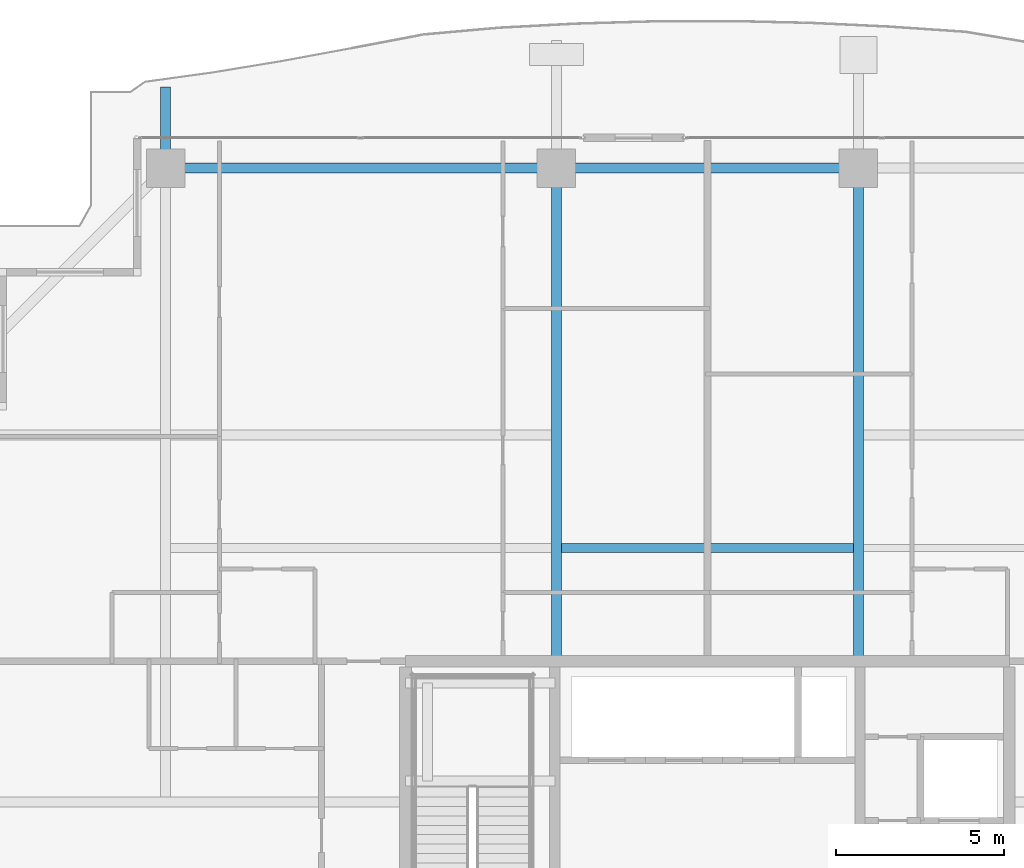
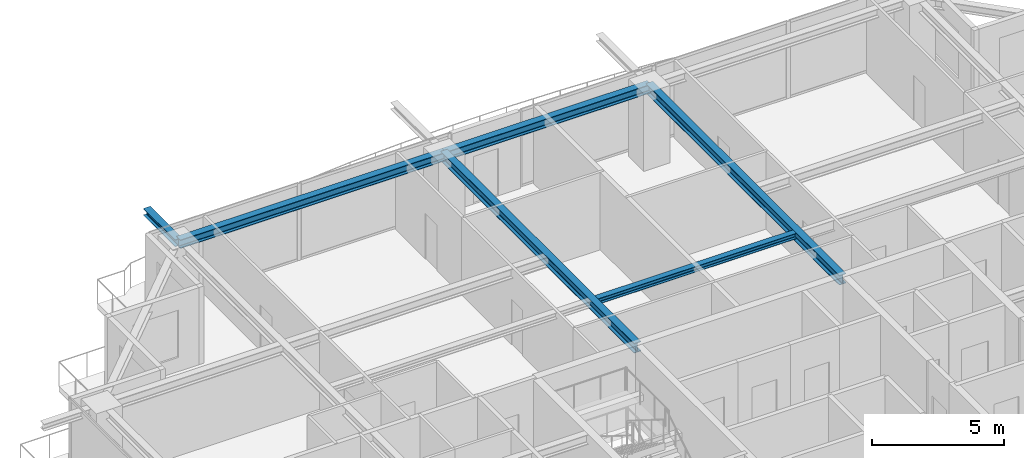
# One storey, part 19 of 37: 6 beams.
"""IFC4 building model written with IfcOpenShell, lengths in metres."""

import ifcopenshell
import ifcopenshell.guid

model = None  # the IFC model being written
_history = None  # IfcOwnerHistory: only IFC2X3 demands one
_inside = {}  # id of a spatial element -> (the spatial element, [elements in it])
_under = {}  # id of a project, library or spatial element -> (it, [spatial elements below it])
_declared = {}  # id of a project -> (the project, [libraries it declares])
_typed = {}  # id of a type object -> (the type object, [elements of that type])
_made_of = {}  # id of a material, layer set ... -> (it, [elements and type objects made of it])


def new_model(schema):
    """Start an empty IFC model of exactly this schema.

    Asked for "IFC4X3", IfcOpenShell would pick the latest addendum, in which some entities
    have other attributes; the version numbers below select the first issue.
    IFC2X3 requires an IfcOwnerHistory on every rooted entity: one is made here for all.
    """
    global model, _history
    if schema == "IFC4X3":
        model = ifcopenshell.file(schema_version=(4, 3, 0, 0))
    else:
        model = ifcopenshell.file(schema=schema)
    _inside.clear()
    _under.clear()
    _declared.clear()
    _typed.clear()
    _made_of.clear()
    _history = None
    if model.schema == "IFC2X3":
        org = make("IfcOrganization", Name="unknown")
        user = make(
            "IfcPersonAndOrganization",
            ThePerson=make("IfcPerson", FamilyName="unknown"),
            TheOrganization=org,
        )
        app = make(
            "IfcApplication",
            ApplicationDeveloper=org,
            Version="unknown",
            ApplicationFullName="unknown",
            ApplicationIdentifier="unknown",
        )
        _history = make(
            "IfcOwnerHistory",
            OwningUser=user,
            OwningApplication=app,
            ChangeAction="ADDED",
            CreationDate=0,
        )
    return model


def make(cls, **values):
    """One entity of the class cls with the attributes given. An attribute that is None is left unset."""
    return model.create_entity(
        cls, **{name: value for name, value in values.items() if value is not None}
    )


def rooted(cls, **values):
    """An entity with a GlobalId (a new one), such as an element, a storey or a relation."""
    return make(cls, GlobalId=ifcopenshell.guid.new(), OwnerHistory=_history, **values)


def si_unit(unit_type, name, prefix=None):
    """IfcSIUnit, for example si_unit("LENGTHUNIT", "METRE", prefix="MILLI")."""
    return make("IfcSIUnit", UnitType=unit_type, Prefix=prefix, Name=name)


def assignment(units):
    """IfcUnitAssignment: the units of a project."""
    return None if units is None else make("IfcUnitAssignment", Units=units)


def point(xyz):
    """IfcCartesianPoint."""
    return None if xyz is None else make("IfcCartesianPoint", Coordinates=xyz)


def direction(xyz):
    """IfcDirection."""
    return None if xyz is None else make("IfcDirection", DirectionRatios=xyz)


def frame(location, z_axis=None, x_axis=None):
    """IfcAxis2Placement3D, a coordinate frame: its origin and axes. An axis left out is left unset."""
    return make(
        "IfcAxis2Placement3D",
        Location=point(location),
        Axis=direction(z_axis),
        RefDirection=direction(x_axis),
    )


def frame_2d(location, x_axis=None):
    """IfcAxis2Placement2D, a coordinate frame in the plane: its origin and x axis."""
    return make(
        "IfcAxis2Placement2D", Location=point(location), RefDirection=direction(x_axis)
    )


def origin():
    """The frame at (0, 0, 0) with its axes left unset."""
    return frame((0.0, 0.0, 0.0))


def origin_2d():
    """The frame at (0, 0) in the plane with its x axis left unset."""
    return frame_2d((0.0, 0.0))


def place(relative_to, where):
    """IfcLocalPlacement: puts the frame where relative to a parent placement (None: the world)."""
    return make(
        "IfcLocalPlacement", PlacementRelTo=relative_to, RelativePlacement=where
    )


def context(
    kind, dimensions, precision=None, world=None, true_north=None, identifier=None
):
    """IfcGeometricRepresentationContext, for example the 3D "Model" context."""
    return make(
        "IfcGeometricRepresentationContext",
        ContextIdentifier=identifier,
        ContextType=kind,
        CoordinateSpaceDimension=dimensions,
        Precision=precision,
        WorldCoordinateSystem=world,
        TrueNorth=true_north,
    )


def subcontext(parent, identifier, kind, view, scale=None):
    """IfcGeometricRepresentationSubContext, for example "Body" below "Model"."""
    return make(
        "IfcGeometricRepresentationSubContext",
        ContextIdentifier=identifier,
        ContextType=kind,
        ParentContext=parent,
        TargetScale=scale,
        TargetView=view,
    )


def project(units=None, contexts=None):
    """IfcProject with its units and contexts."""
    return rooted(
        "IfcProject",
        Name="project",
        RepresentationContexts=contexts,
        UnitsInContext=assignment(units),
    )


def spatial(cls, under=None, at=None, **own):
    """A site, building, storey or space (cls), placed at a placement, below another one or the project."""
    s = rooted(cls, ObjectPlacement=at, **own)
    if under is not None:
        _under.setdefault(under.id(), (under, []))[1].append(s)
    return s


def profile(cls, at=None, kind="AREA", **sizes):
    """A parametric profile (cls). Its sizes go by their IFC names, for example OverallWidth=200.0."""
    return make(cls, ProfileType=kind, Position=at, **sizes)


def i_section(**sizes):
    """IfcIShapeProfileDef."""
    return profile("IfcIShapeProfileDef", **sizes)


def extrude(swept, where, along, depth):
    """IfcExtrudedAreaSolid: the profile swept, set in the frame where, extruded along a direction by depth."""
    return make(
        "IfcExtrudedAreaSolid",
        SweptArea=swept,
        Position=where,
        ExtrudedDirection=direction(along),
        Depth=depth,
    )


def shape(context_of_items, identifier, shape_type, items):
    """IfcShapeRepresentation: the items that make up one representation, for example the "Body"."""
    return make(
        "IfcShapeRepresentation",
        ContextOfItems=context_of_items,
        RepresentationIdentifier=identifier,
        RepresentationType=shape_type,
        Items=items,
    )


def source(mapping_origin, context_of_items, identifier, shape_type, items):
    """IfcRepresentationMap: a shape defined once, which mapped items show again and again."""
    return make(
        "IfcRepresentationMap",
        MappingOrigin=mapping_origin,
        MappedRepresentation=shape(context_of_items, identifier, shape_type, items),
    )


def transform(
    local_origin,
    x_axis=None,
    y_axis=None,
    z_axis=None,
    scale=None,
    scale2=None,
    scale3=None,
    uniform=True,
):
    """IfcCartesianTransformationOperator3D, or its non-uniform kind. x_axis, y_axis, z_axis: its Axis1, 2, 3."""
    if uniform:
        return make(
            "IfcCartesianTransformationOperator3D",
            Axis1=direction(x_axis),
            Axis2=direction(y_axis),
            LocalOrigin=point(local_origin),
            Scale=scale,
            Axis3=direction(z_axis),
        )
    return make(
        "IfcCartesianTransformationOperator3DnonUniform",
        Axis1=direction(x_axis),
        Axis2=direction(y_axis),
        LocalOrigin=point(local_origin),
        Scale=scale,
        Axis3=direction(z_axis),
        Scale2=scale2,
        Scale3=scale3,
    )


def mapped(mapping_source, mapping_target):
    """IfcMappedItem: shows the shape of a source again, moved by a transform."""
    return make(
        "IfcMappedItem", MappingSource=mapping_source, MappingTarget=mapping_target
    )


def material(Name=None, Category=None):
    """IfcMaterial."""
    return make("IfcMaterial", Name=Name, Category=Category)


def material_profile(
    of_material, cross_section, Name=None, Category=None, Priority=None
):
    """IfcMaterialProfile: a cross section and its material."""
    return make(
        "IfcMaterialProfile",
        Name=Name,
        Material=of_material,
        Profile=cross_section,
        Priority=Priority,
        Category=Category,
    )


def profile_set(profiles, Name=None, composite=None):
    """IfcMaterialProfileSet."""
    return make(
        "IfcMaterialProfileSet",
        Name=Name,
        MaterialProfiles=profiles,
        CompositeProfile=composite,
    )


def made_of(thing, what):
    """Note that an element or type object is made of a material, layer set ...; save() writes the relation."""
    if what is not None:
        _made_of.setdefault(what.id(), (what, []))[1].append(thing)
    return thing


def type_object(cls, material=None, **own):
    """A type object (cls), such as IfcWallType, which elements share."""
    return made_of(rooted(cls, **own), material)


def element(
    cls,
    number,
    at=None,
    inside=None,
    cuts=None,
    type_object=None,
    material=None,
    context=None,
    identifier="Body",
    shape_type=None,
    held_by="IfcProductDefinitionShape",
    body=None,
    shapes=None,
    **own,
):
    """One element of the class cls, such as IfcWall. Its Tag is "e" and its number.

    at: its placement. inside: the storey or other place that contains it. cuts: it is an
    opening in that element (IfcRelVoidsElement). A single representation is given by context,
    identifier, shape_type and body (its items); several are given by shapes. held_by: the class
    of the entity that holds the representations. save() writes the other relations.
    """
    e = rooted(cls, Tag="e%d" % number, ObjectPlacement=at, **own)
    if body is not None:
        shapes = [shape(context, identifier, shape_type, body)]
    if shapes is not None:
        e.Representation = make(held_by, Representations=shapes)
    if inside is not None:
        _inside.setdefault(inside.id(), (inside, []))[1].append(e)
    if cuts is not None:
        rooted(
            "IfcRelVoidsElement", RelatingBuildingElement=cuts, RelatedOpeningElement=e
        )
    if type_object is not None:
        _typed.setdefault(type_object.id(), (type_object, []))[1].append(e)
    return made_of(e, material)


def aggregate(whole, parts):
    """IfcRelAggregates: a whole, such as a stair, and the parts it consists of."""
    return rooted("IfcRelAggregates", RelatingObject=whole, RelatedObjects=parts)


def save(model, path):
    """Write the relations noted so far, then the file.

    IfcRelAggregates (storeys below a building ...), IfcRelContainedInSpatialStructure (elements
    in a storey), IfcRelDefinesByType, IfcRelAssociatesMaterial and IfcRelDeclares: one each for
    every whole, place, type object, material and project.
    """
    for whole, parts in _under.values():
        aggregate(whole, parts)
    for where, things in _inside.values():
        rooted(
            "IfcRelContainedInSpatialStructure",
            RelatedElements=things,
            RelatingStructure=where,
        )
    for kind, things in _typed.values():
        rooted("IfcRelDefinesByType", RelatedObjects=things, RelatingType=kind)
    for what, things in _made_of.values():
        rooted("IfcRelAssociatesMaterial", RelatedObjects=things, RelatingMaterial=what)
    for by, libraries in _declared.values():
        rooted("IfcRelDeclares", RelatingContext=by, RelatedDefinitions=libraries)
    model.write(path)


model = new_model("IFC4")

# Units and contexts
model_context = context("Model", 3, precision=1e-05, world=origin(), true_north=direction((0.0, 1.0)))
body_context = subcontext(model_context, "Body", "Model", "MODEL_VIEW")
ifc_project = project(units=[si_unit("LENGTHUNIT", "METRE"), si_unit("AREAUNIT", "SQUARE_METRE"), si_unit("VOLUMEUNIT", "CUBIC_METRE"), si_unit("PLANEANGLEUNIT", "RADIAN"), si_unit("MASSUNIT", "GRAM", prefix="KILO")], contexts=[model_context])

# Site, building, storey
site_placement = place(None, origin())
site = spatial("IfcSite", under=ifc_project, at=site_placement, CompositionType="ELEMENT")
building_placement = place(site_placement, origin())
building = spatial("IfcBuilding", under=site, at=building_placement, Name="Serunith Strait Residences", CompositionType="ELEMENT")
storey_placement = place(building_placement, frame((0.0, 0.0, 233.550048828125)))
storey = spatial("IfcBuildingStorey", under=building, at=storey_placement, Name="L58", CompositionType="ELEMENT", Elevation=233.550048828125)

# Beams
ifc_material = material(Name="Steel S355J2", Category="steel")
ifc_material_profile_1 = material_profile(ifc_material, i_section(OverallWidth=0.260009765625, OverallDepth=0.260009765625, WebThickness=0.010009765625, FlangeThickness=0.017578125, FilletRadius=0.02392578125, at=origin_2d()), Name="HEB 260")
ifc_profile_set_1 = profile_set([ifc_material_profile_1], Name="Steel S355J2")
beam_type_1 = type_object("IfcBeamType", Name="BM-HEB260", PredefinedType="JOIST", material=ifc_profile_set_1)
shared_shape_1 = source(origin(), body_context, "Body", "SweptSolid", [
    extrude(i_section(OverallWidth=0.260009765625, OverallDepth=0.260009765625, WebThickness=0.010009765625, FlangeThickness=0.017578125, FilletRadius=0.02392578125, at=origin_2d()), origin(), (0.0, 0.0, 1.0), 8.699951171875),
])
beam_1_placement = place(storey_placement, frame((28.050048828125, 36.97509765625, 3.45703125), z_axis=(1.0, 0.0, 0.0), x_axis=(0.0, 1.0, 0.0)))
element("IfcBeam", 1, at=beam_1_placement, inside=storey, type_object=beam_type_1, Name="L58 Composite Floor Joist 05", PredefinedType="JOIST", context=body_context, shape_type="MappedRepresentation", body=[
    mapped(shared_shape_1, transform((0.0, 0.0, 0.0), scale=1.0)),
])
ifc_material_profile_2 = material_profile(ifc_material, i_section(OverallWidth=0.300048828125, OverallDepth=0.449951171875, WebThickness=0.013916015625, FlangeThickness=0.02587890625, FilletRadius=0.027099609375, at=origin_2d()), Name="HEB 450")
ifc_profile_set_2 = profile_set([ifc_material_profile_2], Name="Steel S355J2")
beam_type_2 = type_object("IfcBeamType", Name="BM-HEB450", PredefinedType="BEAM", material=ifc_profile_set_2)
shared_shape_2 = source(origin(), body_context, "Body", "SweptSolid", [
    extrude(i_section(OverallWidth=0.300048828125, OverallDepth=0.449951171875, WebThickness=0.013916015625, FlangeThickness=0.02587890625, FilletRadius=0.027099609375, at=origin_2d()), origin(), (0.0, 0.0, 1.0), 14.699951171875),
])
for number, where, z_axis, x_axis, name in (
    (2, (27.89990234375, 33.60009765625, 3.362060546875), (0.0, 1.0, 0.0), (-1.0, 0.0, 0.0), "L58 Primary Floor Girder TC-N2"),
    (3, (36.89990234375, 33.60009765625, 3.362060546875), (0.0, 1.0, 0.0), (-1.0, 0.0, 0.0), "L58 Primary Floor Girder TC-N3"),
):
    element("IfcBeam", number, at=place(storey_placement, frame(where, z_axis=z_axis, x_axis=x_axis)), inside=storey, type_object=beam_type_2, Name=name, PredefinedType="BEAM", context=body_context, shape_type="MappedRepresentation", body=[
        mapped(shared_shape_2, transform((0.0, 0.0, 0.0), scale=1.0)),
    ])
ifc_material_profile_3 = material_profile(ifc_material, i_section(OverallWidth=0.300048828125, OverallDepth=0.39990234375, WebThickness=0.013427734375, FlangeThickness=0.02392578125, FilletRadius=0.027099609375, at=origin_2d()), Name="HEB 400")
ifc_profile_set_3 = profile_set([ifc_material_profile_3], Name="Steel S355J2")
beam_type_3 = type_object("IfcBeamType", Name="BM-HEB400", PredefinedType="BEAM", material=ifc_profile_set_3)
shared_shape_3 = source(origin(), body_context, "Body", "SweptSolid", [
    extrude(i_section(OverallWidth=0.300048828125, OverallDepth=0.39990234375, WebThickness=0.013427734375, FlangeThickness=0.02392578125, FilletRadius=0.027099609375, at=origin_2d()), origin(), (0.0, 0.0, 1.0), 11.64990234375),
])
beam_2_placement = place(storey_placement, frame((27.89990234375, 48.300048828125, 3.386962890625), z_axis=(-1.0, 0.0, 0.0), x_axis=(0.0, -1.0, 0.0)))
element("IfcBeam", 4, at=beam_2_placement, inside=storey, type_object=beam_type_3, Name="L58 Perimeter Ring Beam 11", PredefinedType="BEAM", context=body_context, shape_type="MappedRepresentation", body=[
    mapped(shared_shape_3, transform((0.0, 0.0, 0.0), scale=1.0)),
])
shared_shape_4 = source(origin(), body_context, "Body", "SweptSolid", [
    extrude(i_section(OverallWidth=0.300048828125, OverallDepth=0.39990234375, WebThickness=0.013427734375, FlangeThickness=0.02392578125, FilletRadius=0.027099609375, at=origin_2d()), origin(), (0.0, 0.0, 1.0), 9.0),
])
beam_3_placement = place(storey_placement, frame((36.89990234375, 48.300048828125, 3.386962890625), z_axis=(-1.0, 0.0, 0.0), x_axis=(0.0, -1.0, 0.0)))
element("IfcBeam", 5, at=beam_3_placement, inside=storey, type_object=beam_type_3, Name="L58 Perimeter Ring Beam 10", PredefinedType="BEAM", context=body_context, shape_type="MappedRepresentation", body=[
    mapped(shared_shape_4, transform((0.0, 0.0, 0.0), scale=1.0)),
])
ifc_material_profile_4 = material_profile(ifc_material, i_section(OverallWidth=0.300048828125, OverallDepth=0.320068359375, WebThickness=0.011474609375, FlangeThickness=0.0205078125, FilletRadius=0.027099609375, at=origin_2d()), Name="HEB 320")
ifc_profile_set_4 = profile_set([ifc_material_profile_4], Name="Steel S355J2")
beam_type_4 = type_object("IfcBeamType", Name="BM-HEB320", PredefinedType="BEAM", material=ifc_profile_set_4)
shared_shape_5 = source(origin(), body_context, "Body", "SweptSolid", [
    extrude(i_section(OverallWidth=0.300048828125, OverallDepth=0.320068359375, WebThickness=0.011474609375, FlangeThickness=0.0205078125, FilletRadius=0.027099609375, at=origin_2d()), origin(), (0.0, 0.0, 1.0), 2.4111328125),
])
beam_4_placement = place(storey_placement, frame((16.25, 48.300048828125, 3.39697265625), z_axis=(0.0, 1.0, 0.0), x_axis=(-1.0, 0.0, 0.0)))
element("IfcBeam", 6, at=beam_4_placement, inside=storey, type_object=beam_type_4, Name="L59 Cantilevered Balcony Rib TC-N1", PredefinedType="BEAM", context=body_context, shape_type="MappedRepresentation", body=[
    mapped(shared_shape_5, transform((0.0, 0.0, 0.0), scale=1.0)),
])

save(model, "model.ifc")
